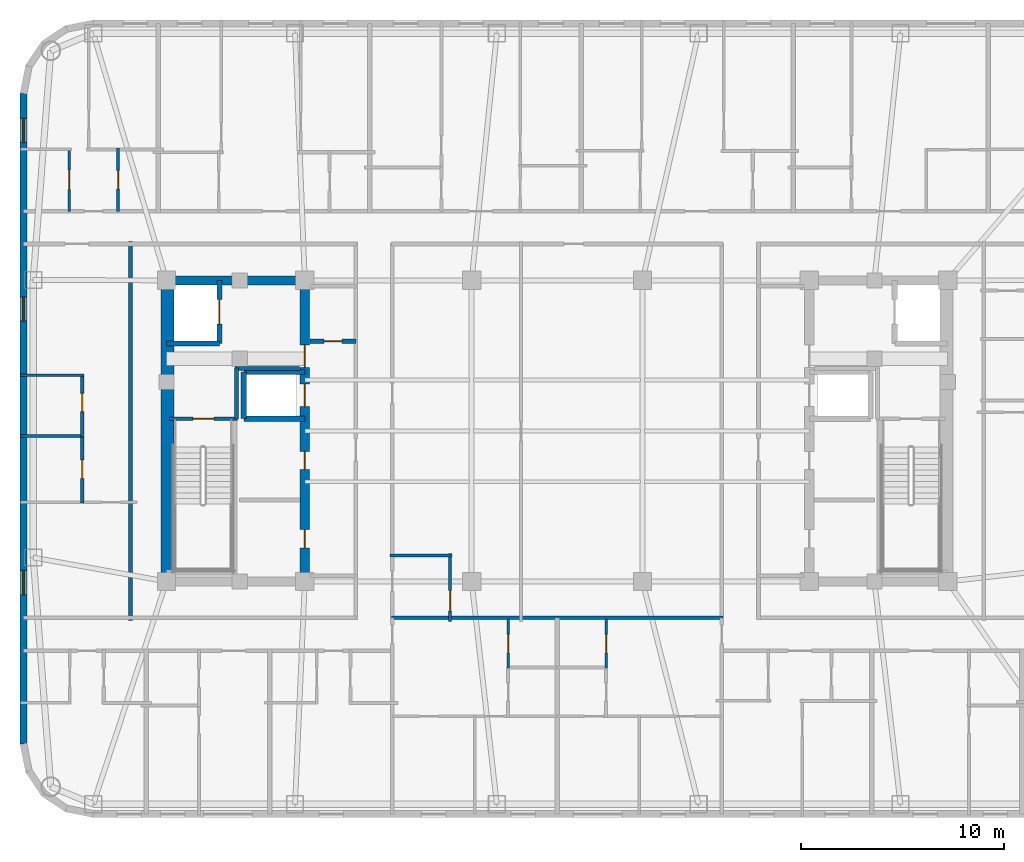
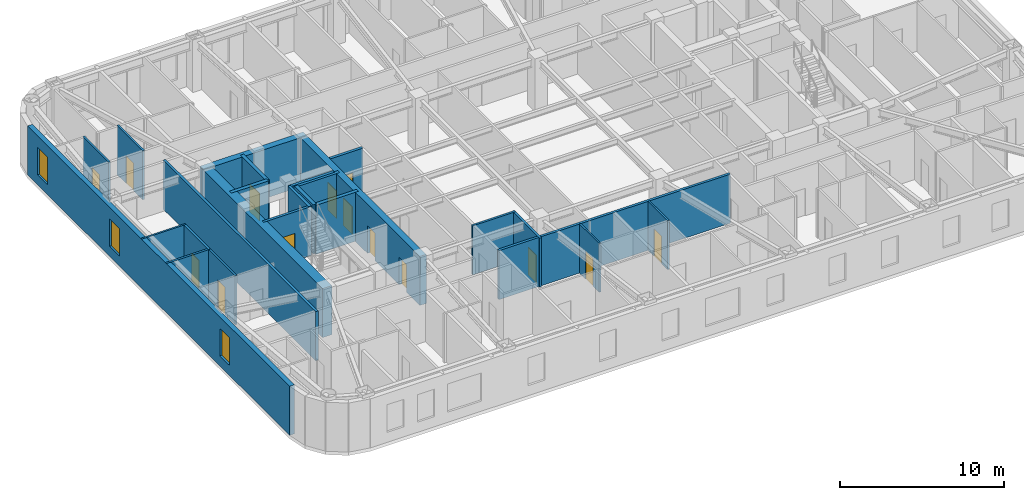
# One storey, part 4 of 11: 25 walls, 14 doors, 3 windows, 17 openings.
"""IFC4 building model written with IfcOpenShell, lengths in metres."""

from ifc_helpers import new_model, si_unit, direction, frame, frame_2d, origin, place, context, subcontext, project, spatial, rectangle, extrude, material, layer, layer_set, type_object, element, fill, save


model = new_model("IFC4")

# Units and contexts
model_context = context("Model", 3, precision=1e-05, world=origin(), true_north=direction((0.0, 1.0)))
body_context = subcontext(model_context, "Body", "Model", "MODEL_VIEW")
ifc_project = project(units=[si_unit("LENGTHUNIT", "METRE"), si_unit("AREAUNIT", "SQUARE_METRE"), si_unit("VOLUMEUNIT", "CUBIC_METRE"), si_unit("PLANEANGLEUNIT", "RADIAN"), si_unit("MASSUNIT", "GRAM", prefix="KILO")], contexts=[model_context])

# Site, building, storey
site_placement = place(None, origin())
site = spatial("IfcSite", under=ifc_project, at=site_placement, CompositionType="ELEMENT")
building_placement = place(site_placement, origin())
building = spatial("IfcBuilding", under=site, at=building_placement, Name="Voryun Gate Residences", CompositionType="ELEMENT")
storey_placement = place(building_placement, frame((0.0, 0.0, 215.800048828125)))
storey = spatial("IfcBuildingStorey", under=building, at=storey_placement, Name="L53", CompositionType="ELEMENT", Elevation=215.800048828125)

# Wall
ifc_material_1 = material(Name="Concrete C50/60", Category="concrete")
ifc_layer_1 = layer(ifc_material_1, 0.449951171875, Name="CW_CORE_450")
ifc_layer_set_1 = layer_set([ifc_layer_1], Name="Concrete C50/60")
wall_type_1 = type_object("IfcWallType", Name="CW_CORE_450", PredefinedType="SHEAR", material=ifc_layer_set_1)
wall_1_placement = place(storey_placement, frame((-19.425048828125, 7.39990234375, 0.0), z_axis=(0.0, 0.0, 1.0), x_axis=(1.0, 0.0, 0.0)))
element("IfcWall", 1, at=wall_1_placement, inside=storey, type_object=wall_type_1, Name="L53 Core shear wall CW-L53-WN", PredefinedType="SHEAR", context=body_context, shape_type="SweptSolid", body=[
    extrude(rectangle(XDim=7.25, YDim=0.449951171875, at=frame_2d((3.625, 0.0))), origin(), (0.0, 0.0, 1.0), 3.64990234375),
])

# Wall, openings, doors
wall_2_placement = place(storey_placement, frame((-12.39990234375, -7.39990234375, 0.0), z_axis=(0.0, 0.0, 1.0), x_axis=(0.0, 1.0, 0.0)))
wall_2 = element("IfcWall", 2, at=wall_2_placement, inside=storey, type_object=wall_type_1, Name="L53 Core shear wall CW-L53-WE", PredefinedType="SHEAR", context=body_context, shape_type="SweptSolid", body=[
    extrude(rectangle(XDim=14.7998046875, YDim=0.449951171875, at=frame_2d((7.39990234375, 0.0))), origin(), (0.0, 0.0, 1.0), 3.64990234375),
])
opening_1_placement = place(wall_2_placement, frame((8.60009765625, 0.0, 0.0)))
opening_1 = element("IfcOpeningElement", 3, at=opening_1_placement, cuts=wall_2, Name="Opening LD2", PredefinedType="OPENING", context=body_context, shape_type="SweptSolid", body=[
    extrude(rectangle(XDim=1.10009765625, YDim=2.050048828125, at=frame_2d((0.550048828125, 1.02490234375))), frame((0.0, 0.235107421875, 0.0), z_axis=(0.0, -1.0, 0.0), x_axis=(1.0, 0.0, 0.0)), (0.0, 0.0, 1.0), 0.469970703125),
])
opening_2_placement = place(wall_2_placement, frame((10.530029296875, 0.0, 0.0)))
opening_2 = element("IfcOpeningElement", 4, at=opening_2_placement, cuts=wall_2, Name="Opening D-FD60-2", PredefinedType="OPENING", context=body_context, shape_type="SweptSolid", body=[
    extrude(rectangle(XDim=1.10009765625, YDim=2.050048828125, at=frame_2d((0.550048828125, 1.02490234375))), frame((0.0, 0.235107421875, 0.0), z_axis=(0.0, -1.0, 0.0), x_axis=(1.0, 0.0, 0.0)), (0.0, 0.0, 1.0), 0.469970703125),
])
opening_3_placement = place(wall_2_placement, frame((1.64990234375, 0.0, 0.0)))
opening_3 = element("IfcOpeningElement", 5, at=opening_3_placement, cuts=wall_2, Name="Opening D-FD60-4", PredefinedType="OPENING", context=body_context, shape_type="SweptSolid", body=[
    extrude(rectangle(XDim=0.89990234375, YDim=2.050048828125, at=frame_2d((0.449951171875, 1.02490234375))), frame((0.0, 0.235107421875, 0.0), z_axis=(0.0, -1.0, 0.0), x_axis=(1.0, 0.0, 0.0)), (0.0, 0.0, 1.0), 0.469970703125),
])
opening_4_placement = place(wall_2_placement, frame((5.5, 0.0, 0.0)))
opening_4 = element("IfcOpeningElement", 6, at=opening_4_placement, cuts=wall_2, Name="Opening D-FD60-4", PredefinedType="OPENING", context=body_context, shape_type="SweptSolid", body=[
    extrude(rectangle(XDim=0.89990234375, YDim=2.050048828125, at=frame_2d((0.449951171875, 1.02490234375))), frame((0.0, 0.235107421875, 0.0), z_axis=(0.0, -1.0, 0.0), x_axis=(1.0, 0.0, 0.0)), (0.0, 0.0, 1.0), 0.469970703125),
])
ifc_material_2 = material(Name="Painted steel fire door", Category="steel")
door_type_1 = type_object("IfcDoorType", Name="DR_FD60_FFLOB_1100", OperationType="NOTDEFINED", PredefinedType="DOOR", material=ifc_material_2)
door_1_placement = place(opening_2_placement, origin())
door_1 = element("IfcDoor", 7, at=door_1_placement, inside=storey, type_object=door_type_1, Name="Door DR-L53-CLOB-W", OperationType="SINGLE_SWING_LEFT", OverallHeight=2.050048828125, OverallWidth=1.10009765625, PredefinedType="DOOR", context=body_context, shape_type="SweptSolid", body=[
    extrude(rectangle(XDim=1.10009765625, YDim=2.050048828125, at=frame_2d((0.550048828125, 1.02490234375))), frame((0.0, 0.02490234375, 0.0), z_axis=(0.0, -1.0, 0.0), x_axis=(1.0, 0.0, 0.0)), (0.0, 0.0, 1.0), 0.050048828125),
])
fill(opening_2, door_1)
ifc_material_3 = material(Name="Painted steel fire door", Category="steel")
door_type_2 = type_object("IfcDoorType", Name="DR_FD60_RISER_900", OperationType="NOTDEFINED", PredefinedType="DOOR", material=ifc_material_3)
door_2_placement = place(opening_3_placement, origin())
door_2 = element("IfcDoor", 8, at=door_2_placement, inside=storey, type_object=door_type_2, Name="Door DR-L53-RECW-HS", OperationType="SINGLE_SWING_LEFT", OverallHeight=2.050048828125, OverallWidth=0.89990234375, PredefinedType="DOOR", context=body_context, shape_type="SweptSolid", body=[
    extrude(rectangle(XDim=0.89990234375, YDim=2.050048828125, at=frame_2d((0.449951171875, 1.02490234375))), frame((0.0, 0.02490234375, 0.0), z_axis=(0.0, -1.0, 0.0), x_axis=(1.0, 0.0, 0.0)), (0.0, 0.0, 1.0), 0.050048828125),
])
fill(opening_3, door_2)
door_3_placement = place(opening_4_placement, origin())
door_3 = element("IfcDoor", 9, at=door_3_placement, inside=storey, type_object=door_type_2, Name="Door DR-L53-RECW-HN", OperationType="SINGLE_SWING_RIGHT", OverallHeight=2.050048828125, OverallWidth=0.89990234375, PredefinedType="DOOR", context=body_context, shape_type="SweptSolid", body=[
    extrude(rectangle(XDim=0.89990234375, YDim=2.050048828125, at=frame_2d((0.449951171875, 1.02490234375))), frame((0.0, 0.02490234375, 0.0), z_axis=(0.0, -1.0, 0.0), x_axis=(1.0, 0.0, 0.0)), (0.0, 0.0, 1.0), 0.050048828125),
])
fill(opening_4, door_3)
ifc_material_4 = material(Name="Anodised aluminium", Category="aluminium")
door_type_3 = type_object("IfcDoorType", Name="DR_LD_PASS_1100", OperationType="NOTDEFINED", PredefinedType="DOOR", material=ifc_material_4)
door_4_placement = place(opening_1_placement, origin())
door_4 = element("IfcDoor", 10, at=door_4_placement, inside=storey, type_object=door_type_3, Name="Lift EL-P7 sliding landing door L53", OperationType="SLIDING_TO_LEFT", OverallHeight=2.050048828125, OverallWidth=1.10009765625, PredefinedType="DOOR", context=body_context, shape_type="SweptSolid", body=[
    extrude(rectangle(XDim=1.10009765625, YDim=2.050048828125, at=frame_2d((0.550048828125, 1.02490234375))), frame((0.0, 0.02490234375, 0.0), z_axis=(0.0, -1.0, 0.0), x_axis=(1.0, 0.0, 0.0)), (0.0, 0.0, 1.0), 0.050048828125),
])
fill(opening_1, door_4)

# Wall
ifc_material_5 = material(Name="Concrete C60/75", Category="concrete")
ifc_layer_2 = layer(ifc_material_5, 0.64990234375, Name="CW_CORE_650")
ifc_layer_set_2 = layer_set([ifc_layer_2], Name="Concrete C60/75")
wall_type_2 = type_object("IfcWallType", Name="CW_CORE_650", PredefinedType="SHEAR", material=ifc_layer_set_2)
wall_3_placement = place(storey_placement, frame((-19.14501953125, -7.39990234375, 0.0), z_axis=(0.0, 0.0, 1.0), x_axis=(0.0, 1.0, 0.0)))
element("IfcWall", 11, at=wall_3_placement, inside=storey, type_object=wall_type_2, Name="L53 Core shear wall CW-L53-WW", PredefinedType="SHEAR", context=body_context, shape_type="SweptSolid", body=[
    extrude(rectangle(XDim=14.7998046875, YDim=0.64990234375, at=frame_2d((7.39990234375, 0.0))), origin(), (0.0, 0.0, 1.0), 3.64990234375),
])

# Wall, opening, door
ifc_material_6 = material(Name="Gypsum acoustic fireboard")
ifc_layer_3 = layer(ifc_material_6, 0.179931640625, Name="W_CORR_RATED_180")
ifc_layer_set_3 = layer_set([ifc_layer_3], Name="Gypsum acoustic fireboard")
wall_type_3 = type_object("IfcWallType", Name="W_CORR_RATED_180", PredefinedType="PARTITIONING", material=ifc_layer_set_3)
wall_4_placement = place(storey_placement, frame((-19.06005859375, 0.60009765625, 0.0), z_axis=(0.0, 0.0, 1.0), x_axis=(1.0, 0.0, 0.0)))
wall_4 = element("IfcWall", 12, at=wall_4_placement, inside=storey, type_object=wall_type_3, Name="Partition wall WP-L53-STV-W", PredefinedType="PARTITIONING", context=body_context, shape_type="SweptSolid", body=[
    extrude(rectangle(XDim=3.360107421875, YDim=0.179931640625, at=frame_2d((1.68017578125, 0.0))), origin(), (0.0, 0.0, 1.0), 3.64990234375),
])
opening_5_placement = place(wall_4_placement, frame((1.155029296875, 0.0, 0.0)))
opening_5 = element("IfcOpeningElement", 13, at=opening_5_placement, cuts=wall_4, Name="Opening D-FD60-1", PredefinedType="OPENING", context=body_context, shape_type="SweptSolid", body=[
    extrude(rectangle(XDim=1.050048828125, YDim=2.050048828125, at=frame_2d((0.52490234375, 1.02490234375))), frame((0.0, 0.099853515625, 0.0), z_axis=(0.0, -1.0, 0.0), x_axis=(1.0, 0.0, 0.0)), (0.0, 0.0, 1.0), 0.199951171875),
])
ifc_material_7 = material(Name="Painted steel fire door", Category="steel")
door_type_4 = type_object("IfcDoorType", Name="DR_FD60_STAIR_1050", OperationType="NOTDEFINED", PredefinedType="DOOR", material=ifc_material_7)
door_5_placement = place(opening_5_placement, origin())
door_5 = element("IfcDoor", 14, at=door_5_placement, inside=storey, type_object=door_type_4, Name="Door DR-L53-ST-W", OperationType="SINGLE_SWING_LEFT", OverallHeight=2.050048828125, OverallWidth=1.050048828125, PredefinedType="DOOR", context=body_context, shape_type="SweptSolid", body=[
    extrude(rectangle(XDim=1.050048828125, YDim=2.050048828125, at=frame_2d((0.52490234375, 1.02490234375))), frame((0.0, 0.02490234375, 0.0), z_axis=(0.0, -1.0, 0.0), x_axis=(1.0, 0.0, 0.0)), (0.0, 0.0, 1.0), 0.050048828125),
])
fill(opening_5, door_5)

# Walls
wall_5_placement = place(storey_placement, frame((-8.14990234375, -9.18994140625, 0.0), z_axis=(0.0, 0.0, 1.0), x_axis=(1.0, 0.0, 0.0)))
element("IfcWall", 15, at=wall_5_placement, inside=storey, type_object=wall_type_3, Name="Partition wall WP-L53-Z3S", PredefinedType="PARTITIONING", context=body_context, shape_type="SweptSolid", body=[
    extrude(rectangle(XDim=16.2998046875, YDim=0.179931640625, at=frame_2d((8.14990234375, 0.0))), origin(), (0.0, 0.0, 1.0), 3.64990234375),
])
wall_6_placement = place(storey_placement, frame((-20.969970703125, -9.31005859375, 0.0), z_axis=(0.0, 0.0, 1.0), x_axis=(0.0, 1.0, 0.0)))
element("IfcWall", 16, at=wall_6_placement, inside=storey, type_object=wall_type_3, Name="Partition wall WP-L53-WCOR", PredefinedType="PARTITIONING", context=body_context, shape_type="SweptSolid", body=[
    extrude(rectangle(XDim=18.6201171875, YDim=0.179931640625, at=frame_2d((9.31005859375, 0.0))), origin(), (0.0, 0.0, 1.0), 3.64990234375),
])

# Wall, openings, windows
ifc_material_8 = material(Name="Charcoal terracotta masonry", Category="masonry")
ifc_layer_4 = layer(ifc_material_8, 0.340087890625, Name="W_EXT_TERRACOTTA_340")
ifc_layer_set_4 = layer_set([ifc_layer_4], Name="Charcoal terracotta masonry")
wall_type_4 = type_object("IfcWallType", Name="W_EXT_TERRACOTTA_340", PredefinedType="ELEMENTEDWALL", material=ifc_layer_set_4)
wall_7_placement = place(storey_placement, frame((-26.22998046875, -15.38330078125, 0.0), z_axis=(0.0, 0.0, 1.0), x_axis=(0.0, 1.0, 0.0)))
wall_7 = element("IfcWall", 17, at=wall_7_placement, inside=storey, type_object=wall_type_4, Name="Exterior wall WEXT-L53-06", PredefinedType="ELEMENTEDWALL", context=body_context, shape_type="SweptSolid", body=[
    extrude(rectangle(XDim=31.966552734375, YDim=0.340087890625, at=frame_2d((15.9833984375, 0.0))), origin(), (0.0, 0.0, 1.0), 3.64990234375),
])
opening_6_placement = place(wall_7_placement, frame((29.549560546875, 0.0, 0.75)))
opening_6 = element("IfcOpeningElement", 18, at=opening_6_placement, cuts=wall_7, Name="Opening WN6", PredefinedType="OPENING", context=body_context, shape_type="SweptSolid", body=[
    extrude(rectangle(XDim=1.199951171875, YDim=2.050048828125, at=frame_2d((0.60009765625, 1.02490234375))), frame((0.0, 0.179931640625, 0.0), z_axis=(0.0, -1.0, 0.0), x_axis=(1.0, 0.0, 0.0)), (0.0, 0.0, 1.0), 0.360107421875),
])
opening_7_placement = place(wall_7_placement, frame((20.7783203125, 0.0, 0.75)))
opening_7 = element("IfcOpeningElement", 19, at=opening_7_placement, cuts=wall_7, Name="Opening WN6", PredefinedType="OPENING", context=body_context, shape_type="SweptSolid", body=[
    extrude(rectangle(XDim=1.199951171875, YDim=2.050048828125, at=frame_2d((0.60009765625, 1.02490234375))), frame((0.0, 0.179931640625, 0.0), z_axis=(0.0, -1.0, 0.0), x_axis=(1.0, 0.0, 0.0)), (0.0, 0.0, 1.0), 0.360107421875),
])
opening_8_placement = place(wall_7_placement, frame((7.3232421875, 0.0, 0.75)))
opening_8 = element("IfcOpeningElement", 20, at=opening_8_placement, cuts=wall_7, Name="Opening WN6", PredefinedType="OPENING", context=body_context, shape_type="SweptSolid", body=[
    extrude(rectangle(XDim=1.199951171875, YDim=2.050048828125, at=frame_2d((0.60009765625, 1.02490234375))), frame((0.0, 0.179931640625, 0.0), z_axis=(0.0, -1.0, 0.0), x_axis=(1.0, 0.0, 0.0)), (0.0, 0.0, 1.0), 0.360107421875),
])
ifc_material_9 = material(Name="Laminated low-E glass", Category="glass")
window_type = type_object("IfcWindowType", Name="WN_POD_SLOT_1200", PartitioningType="SINGLE_PANEL", PredefinedType="WINDOW", material=ifc_material_9)
window_1_placement = place(opening_6_placement, origin())
window_1 = element("IfcWindow", 21, at=window_1_placement, inside=storey, type_object=window_type, Name="Window WN-L53-DWFIX-01", OverallHeight=2.050048828125, OverallWidth=1.199951171875, PartitioningType="SINGLE_PANEL", PredefinedType="WINDOW", context=body_context, shape_type="SweptSolid", body=[
    extrude(rectangle(XDim=1.199951171875, YDim=2.050048828125, at=frame_2d((0.60009765625, 1.02490234375))), frame((0.0, 0.030029296875, 0.0), z_axis=(0.0, -1.0, 0.0), x_axis=(1.0, 0.0, 0.0)), (0.0, 0.0, 1.0), 0.06005859375),
])
fill(opening_6, window_1)
window_2_placement = place(opening_7_placement, origin())
window_2 = element("IfcWindow", 22, at=window_2_placement, inside=storey, type_object=window_type, Name="Window WN-L53-DWFIX-27", OverallHeight=2.050048828125, OverallWidth=1.199951171875, PartitioningType="SINGLE_PANEL", PredefinedType="WINDOW", context=body_context, shape_type="SweptSolid", body=[
    extrude(rectangle(XDim=1.199951171875, YDim=2.050048828125, at=frame_2d((0.60009765625, 1.02490234375))), frame((0.0, 0.030029296875, 0.0), z_axis=(0.0, -1.0, 0.0), x_axis=(1.0, 0.0, 0.0)), (0.0, 0.0, 1.0), 0.06005859375),
])
fill(opening_7, window_2)
window_3_placement = place(opening_8_placement, origin())
window_3 = element("IfcWindow", 23, at=window_3_placement, inside=storey, type_object=window_type, Name="Window WN-L53-DWFIX-28", OverallHeight=2.050048828125, OverallWidth=1.199951171875, PartitioningType="SINGLE_PANEL", PredefinedType="WINDOW", context=body_context, shape_type="SweptSolid", body=[
    extrude(rectangle(XDim=1.199951171875, YDim=2.050048828125, at=frame_2d((0.60009765625, 1.02490234375))), frame((0.0, 0.030029296875, 0.0), z_axis=(0.0, -1.0, 0.0), x_axis=(1.0, 0.0, 0.0)), (0.0, 0.0, 1.0), 0.06005859375),
])
fill(opening_8, window_3)

# Walls
ifc_material_10 = material(Name="Concrete C40/50", Category="concrete")
ifc_layer_5 = layer(ifc_material_10, 0.199951171875, Name="W_FF_LOBBY_200")
ifc_layer_set_5 = layer_set([ifc_layer_5], Name="Concrete C40/50")
wall_type_5 = type_object("IfcWallType", Name="W_FF_LOBBY_200", PredefinedType="PARTITIONING", material=ifc_layer_set_5)
wall_8_placement = place(storey_placement, frame((-15.760009765625, 0.580078125, 0.0), z_axis=(0.0, 0.0, 1.0), x_axis=(0.0, 1.0, 0.0)))
element("IfcWall", 24, at=wall_8_placement, inside=storey, type_object=wall_type_5, Name="Partition wall WP-L53-FFP0-W", PredefinedType="PARTITIONING", context=body_context, shape_type="SweptSolid", body=[
    extrude(rectangle(XDim=2.52001953125, YDim=0.199951171875, at=frame_2d((1.260009765625, 0.0))), origin(), (0.0, 0.0, 1.0), 3.64990234375),
])
wall_9_placement = place(storey_placement, frame((-15.820068359375, 3.06005859375, 0.0), z_axis=(0.0, 0.0, 1.0), x_axis=(1.0, 0.0, 0.0)))
element("IfcWall", 25, at=wall_9_placement, inside=storey, type_object=wall_type_5, Name="Partition wall WP-L53-FFPS-W", PredefinedType="PARTITIONING", context=body_context, shape_type="SweptSolid", body=[
    extrude(rectangle(XDim=3.16015625, YDim=0.199951171875, at=frame_2d((1.580078125, 0.0))), origin(), (0.0, 0.0, 1.0), 3.64990234375),
])

# Wall, opening, door
wall_10_placement = place(storey_placement, frame((-12.14990234375, 4.409912109375, 0.0), z_axis=(0.0, 0.0, 1.0), x_axis=(1.0, 0.0, 0.0)))
wall_10 = element("IfcWall", 26, at=wall_10_placement, inside=storey, type_object=wall_type_5, Name="Partition wall WP-L53-CSFLKS-W", PredefinedType="PARTITIONING", context=body_context, shape_type="SweptSolid", body=[
    extrude(rectangle(XDim=2.27001953125, YDim=0.199951171875, at=frame_2d((1.135009765625, 0.0))), origin(), (0.0, 0.0, 1.0), 3.64990234375),
])
opening_9_placement = place(wall_10_placement, frame((0.68505859375, 0.0, 0.0)))
opening_9 = element("IfcOpeningElement", 27, at=opening_9_placement, cuts=wall_10, Name="Opening D-FD60-4", PredefinedType="OPENING", context=body_context, shape_type="SweptSolid", body=[
    extrude(rectangle(XDim=0.89990234375, YDim=2.050048828125, at=frame_2d((0.449951171875, 1.02490234375))), frame((0.0, 0.110107421875, 0.0), z_axis=(0.0, -1.0, 0.0), x_axis=(1.0, 0.0, 0.0)), (0.0, 0.0, 1.0), 0.219970703125),
])
door_6_placement = place(opening_9_placement, origin())
door_6 = element("IfcDoor", 28, at=door_6_placement, inside=storey, type_object=door_type_2, Name="Door DR-L53-CSFLK-W", OperationType="SINGLE_SWING_LEFT", OverallHeight=2.050048828125, OverallWidth=0.89990234375, PredefinedType="DOOR", context=body_context, shape_type="SweptSolid", body=[
    extrude(rectangle(XDim=0.89990234375, YDim=2.050048828125, at=frame_2d((0.449951171875, 1.02490234375))), frame((0.0, 0.02490234375, 0.0), z_axis=(0.0, -1.0, 0.0), x_axis=(1.0, 0.0, 0.0)), (0.0, 0.0, 1.0), 0.050048828125),
])
fill(opening_9, door_6)

# Wall
ifc_material_11 = material(Name="Concrete C50/60", Category="concrete")
ifc_layer_6 = layer(ifc_material_11, 0.25, Name="W_SHAFT_RC250")
ifc_layer_set_6 = layer_set([ifc_layer_6], Name="Concrete C50/60")
wall_type_6 = type_object("IfcWallType", Name="W_SHAFT_RC250", PredefinedType="SOLIDWALL", material=ifc_layer_set_6)
wall_11_placement = place(storey_placement, frame((-19.199951171875, 4.300048828125, 0.0), z_axis=(0.0, 0.0, 1.0), x_axis=(1.0, 0.0, 0.0)))
element("IfcWall", 29, at=wall_11_placement, inside=storey, type_object=wall_type_6, Name="Lift shaft wall WSH-L53-EL-FF-W1-S", PredefinedType="SOLIDWALL", context=body_context, shape_type="SweptSolid", body=[
    extrude(rectangle(XDim=2.599853515625, YDim=0.25, at=frame_2d((1.2998046875, 0.0))), origin(), (0.0, 0.0, 1.0), 3.64990234375),
])

# Wall, opening, door
wall_12_placement = place(storey_placement, frame((-16.60009765625, 4.300048828125, 0.0), z_axis=(0.0, 0.0, 1.0), x_axis=(0.0, 1.0, 0.0)))
wall_12 = element("IfcWall", 30, at=wall_12_placement, inside=storey, type_object=wall_type_6, Name="Lift shaft wall WSH-L53-EL-FF-W1-E", PredefinedType="SOLIDWALL", context=body_context, shape_type="SweptSolid", body=[
    extrude(rectangle(XDim=3.099853515625, YDim=0.25, at=frame_2d((1.5498046875, 0.0))), origin(), (0.0, 0.0, 1.0), 3.64990234375),
])
opening_10_placement = place(wall_12_placement, frame((0.949951171875, 0.0, 0.0)))
opening_10 = element("IfcOpeningElement", 31, at=opening_10_placement, cuts=wall_12, Name="Opening LD1", PredefinedType="OPENING", context=body_context, shape_type="SweptSolid", body=[
    extrude(rectangle(XDim=1.199951171875, YDim=2.050048828125, at=frame_2d((0.60009765625, 1.02490234375))), frame((0.0, 0.135009765625, 0.0), z_axis=(0.0, -1.0, 0.0), x_axis=(1.0, 0.0, 0.0)), (0.0, 0.0, 1.0), 0.27001953125),
])
ifc_material_12 = material(Name="Anodised aluminium", Category="aluminium")
door_type_5 = type_object("IfcDoorType", Name="DR_LD_FF_1200", OperationType="NOTDEFINED", PredefinedType="DOOR", material=ifc_material_12)
door_7_placement = place(opening_10_placement, origin())
door_7 = element("IfcDoor", 32, at=door_7_placement, inside=storey, type_object=door_type_5, Name="Lift EL-FF-W1 sliding landing door L53", OperationType="SLIDING_TO_LEFT", OverallHeight=2.050048828125, OverallWidth=1.199951171875, PredefinedType="DOOR", context=body_context, shape_type="SweptSolid", body=[
    extrude(rectangle(XDim=1.199951171875, YDim=2.050048828125, at=frame_2d((0.60009765625, 1.02490234375))), frame((0.0, 0.02490234375, 0.0), z_axis=(0.0, -1.0, 0.0), x_axis=(1.0, 0.0, 0.0)), (0.0, 0.0, 1.0), 0.050048828125),
])
fill(opening_10, door_7)

# Walls
for number, where, z_axis, x_axis, name in (
    (33, (-15.39990234375, 0.60009765625, 0.0), (0.0, 0.0, 1.0), (1.0, 0.0, 0.0), "Lift shaft wall WSH-L53-EL-P7-S"),
    (34, (-12.39990234375, 2.89990234375, 0.0), (0.0, 0.0, 1.0), (-1.0, 0.0, 0.0), "Lift shaft wall WSH-L53-EL-P7-N"),
):
    element("IfcWall", number, at=place(storey_placement, frame(where, z_axis=z_axis, x_axis=x_axis)), inside=storey, type_object=wall_type_6, Name=name, PredefinedType="SOLIDWALL", context=body_context, shape_type="SweptSolid", body=[
        extrude(rectangle(XDim=3.0, YDim=0.25, at=frame_2d((1.5, 0.0))), origin(), (0.0, 0.0, 1.0), 3.64990234375),
    ])
wall_13_placement = place(storey_placement, frame((-15.39990234375, 2.89990234375, 0.0), z_axis=(0.0, 0.0, 1.0), x_axis=(0.0, -1.0, 0.0)))
element("IfcWall", 35, at=wall_13_placement, inside=storey, type_object=wall_type_6, Name="Lift shaft wall WSH-L53-EL-P7-W", PredefinedType="SOLIDWALL", context=body_context, shape_type="SweptSolid", body=[
    extrude(rectangle(XDim=2.2998046875, YDim=0.25, at=frame_2d((1.14990234375, 0.0))), origin(), (0.0, 0.0, 1.0), 3.64990234375),
])

# Wall, opening, door
ifc_material_13 = material(Name="Gypsum acoustic partition")
ifc_layer_7 = layer(ifc_material_13, 0.125, Name="W_UNIT_PART_125")
ifc_layer_set_7 = layer_set([ifc_layer_7], Name="Gypsum acoustic partition")
wall_type_7 = type_object("IfcWallType", Name="W_UNIT_PART_125", PredefinedType="PARTITIONING", material=ifc_layer_set_7)
wall_14_placement = place(storey_placement, frame((-23.987060546875, 10.780029296875, 0.0), z_axis=(0.0, 0.0, 1.0), x_axis=(0.0, 1.0, 0.0)))
wall_14 = element("IfcWall", 36, at=wall_14_placement, inside=storey, type_object=wall_type_7, Name="Partition wall WP-L53-N1-IVK", PredefinedType="PARTITIONING", context=body_context, shape_type="SweptSolid", body=[
    extrude(rectangle(XDim=3.138916015625, YDim=0.125, at=frame_2d((1.5693359375, 0.0))), origin(), (0.0, 0.0, 1.0), 3.64990234375),
])
opening_11_placement = place(wall_14_placement, frame((1.094482421875, 0.0, 0.0)))
opening_11 = element("IfcOpeningElement", 37, at=opening_11_placement, cuts=wall_14, Name="Opening D-INT-1", PredefinedType="OPENING", context=body_context, shape_type="SweptSolid", body=[
    extrude(rectangle(XDim=0.949951171875, YDim=2.050048828125, at=frame_2d((0.47509765625, 1.02490234375))), frame((0.0, 0.072509765625, 0.0), z_axis=(0.0, -1.0, 0.0), x_axis=(1.0, 0.0, 0.0)), (0.0, 0.0, 1.0), 0.14501953125),
])
ifc_material_14 = material(Name="Architectural oak veneer")
door_type_6 = type_object("IfcDoorType", Name="DR_INT_ROOM_950", OperationType="NOTDEFINED", PredefinedType="DOOR", material=ifc_material_14)
door_8_placement = place(opening_11_placement, origin())
door_8 = element("IfcDoor", 38, at=door_8_placement, inside=storey, type_object=door_type_6, Name="Door DR-L53-N1-DK", OperationType="SINGLE_SWING_LEFT", OverallHeight=2.050048828125, OverallWidth=0.949951171875, PredefinedType="DOOR", context=body_context, shape_type="SweptSolid", body=[
    extrude(rectangle(XDim=0.949951171875, YDim=2.050048828125, at=frame_2d((0.47509765625, 1.02490234375))), frame((0.0, 0.02490234375, 0.0), z_axis=(0.0, -1.0, 0.0), x_axis=(1.0, 0.0, 0.0)), (0.0, 0.0, 1.0), 0.050048828125),
])
fill(opening_11, door_8)

wall_15_placement = place(storey_placement, frame((-2.409912109375, -11.659912109375, 0.0), z_axis=(0.0, 0.0, 1.0), x_axis=(0.0, 1.0, 0.0)))
wall_15 = element("IfcWall", 39, at=wall_15_placement, inside=storey, type_object=wall_type_7, Name="Partition wall WP-L53-SC1-VK1", PredefinedType="PARTITIONING", context=body_context, shape_type="SweptSolid", body=[
    extrude(rectangle(XDim=2.409912109375, YDim=0.125, at=frame_2d((1.205078125, 0.0))), origin(), (0.0, 0.0, 1.0), 3.64990234375),
])
opening_12_placement = place(wall_15_placement, frame((0.7548828125, 0.0, 0.0)))
opening_12 = element("IfcOpeningElement", 40, at=opening_12_placement, cuts=wall_15, Name="Opening D-INT-2", PredefinedType="OPENING", context=body_context, shape_type="SweptSolid", body=[
    extrude(rectangle(XDim=0.89990234375, YDim=2.050048828125, at=frame_2d((0.449951171875, 1.02490234375))), frame((0.0, 0.072509765625, 0.0), z_axis=(0.0, -1.0, 0.0), x_axis=(1.0, 0.0, 0.0)), (0.0, 0.0, 1.0), 0.14501953125),
])
ifc_material_15 = material(Name="Architectural oak veneer")
door_type_7 = type_object("IfcDoorType", Name="DR_INT_BATH_900", OperationType="NOTDEFINED", PredefinedType="DOOR", material=ifc_material_15)
door_9_placement = place(opening_12_placement, origin())
door_9 = element("IfcDoor", 41, at=door_9_placement, inside=storey, type_object=door_type_7, Name="Door DR-L53-SC1-DK", OperationType="SINGLE_SWING_LEFT", OverallHeight=2.050048828125, OverallWidth=0.89990234375, PredefinedType="DOOR", context=body_context, shape_type="SweptSolid", body=[
    extrude(rectangle(XDim=0.89990234375, YDim=2.050048828125, at=frame_2d((0.449951171875, 1.02490234375))), frame((0.0, 0.02490234375, 0.0), z_axis=(0.0, -1.0, 0.0), x_axis=(1.0, 0.0, 0.0)), (0.0, 0.0, 1.0), 0.050048828125),
])
fill(opening_12, door_9)

wall_16_placement = place(storey_placement, frame((2.409912109375, -11.659912109375, 0.0), z_axis=(0.0, 0.0, 1.0), x_axis=(0.0, 1.0, 0.0)))
wall_16 = element("IfcWall", 42, at=wall_16_placement, inside=storey, type_object=wall_type_7, Name="Partition wall WP-L53-SC2-VK1", PredefinedType="PARTITIONING", context=body_context, shape_type="SweptSolid", body=[
    extrude(rectangle(XDim=2.409912109375, YDim=0.125, at=frame_2d((1.205078125, 0.0))), origin(), (0.0, 0.0, 1.0), 3.64990234375),
])
opening_13_placement = place(wall_16_placement, frame((0.7548828125, 0.0, 0.0)))
opening_13 = element("IfcOpeningElement", 43, at=opening_13_placement, cuts=wall_16, Name="Opening D-INT-2", PredefinedType="OPENING", context=body_context, shape_type="SweptSolid", body=[
    extrude(rectangle(XDim=0.89990234375, YDim=2.050048828125, at=frame_2d((0.449951171875, 1.02490234375))), frame((0.0, 0.072509765625, 0.0), z_axis=(0.0, -1.0, 0.0), x_axis=(1.0, 0.0, 0.0)), (0.0, 0.0, 1.0), 0.14501953125),
])
door_10_placement = place(opening_13_placement, origin())
door_10 = element("IfcDoor", 44, at=door_10_placement, inside=storey, type_object=door_type_7, Name="Door DR-L53-SC2-DK", OperationType="SINGLE_SWING_LEFT", OverallHeight=2.050048828125, OverallWidth=0.89990234375, PredefinedType="DOOR", context=body_context, shape_type="SweptSolid", body=[
    extrude(rectangle(XDim=0.89990234375, YDim=2.050048828125, at=frame_2d((0.449951171875, 1.02490234375))), frame((0.0, 0.02490234375, 0.0), z_axis=(0.0, -1.0, 0.0), x_axis=(1.0, 0.0, 0.0)), (0.0, 0.0, 1.0), 0.050048828125),
])
fill(opening_13, door_10)

# Wall
wall_17_placement = place(storey_placement, frame((-26.3798828125, 2.739990234375, 0.0), z_axis=(0.0, 0.0, 1.0), x_axis=(1.0, 0.0, 0.0)))
element("IfcWall", 45, at=wall_17_placement, inside=storey, type_object=wall_type_7, Name="Partition wall WP-L53-W1-HZ1", PredefinedType="PARTITIONING", context=body_context, shape_type="SweptSolid", body=[
    extrude(rectangle(XDim=3.119873046875, YDim=0.125, at=frame_2d((1.56005859375, 0.0))), origin(), (0.0, 0.0, 1.0), 3.64990234375),
])

# Wall, opening, door
ifc_material_16 = material(Name="Gypsum moisture-resistant partition")
ifc_layer_8 = layer(ifc_material_16, 0.14990234375, Name="W_WET_PLUMB_150")
ifc_layer_set_8 = layer_set([ifc_layer_8], Name="Gypsum moisture-resistant partition")
wall_type_8 = type_object("IfcWallType", Name="W_WET_PLUMB_150", PredefinedType="PLUMBINGWALL", material=ifc_layer_set_8)
wall_18_placement = place(storey_placement, frame((-5.260009765625, -9.3701171875, 0.0), z_axis=(0.0, 0.0, 1.0), x_axis=(0.0, 1.0, 0.0)))
wall_18 = element("IfcWall", 46, at=wall_18_placement, inside=storey, type_object=wall_type_8, Name="Partition wall WP-L53-CMWCX", PredefinedType="PLUMBINGWALL", context=body_context, shape_type="SweptSolid", body=[
    extrude(rectangle(XDim=3.35009765625, YDim=0.14990234375, at=frame_2d((1.675048828125, 0.0))), origin(), (0.0, 0.0, 1.0), 3.64990234375),
])
opening_14_placement = place(wall_18_placement, frame((0.514892578125, 0.0, 0.0)))
opening_14 = element("IfcOpeningElement", 47, at=opening_14_placement, cuts=wall_18, Name="Opening D-AWC-1", PredefinedType="OPENING", context=body_context, shape_type="SweptSolid", body=[
    extrude(rectangle(XDim=1.0, YDim=2.050048828125, at=frame_2d((0.5, 1.02490234375))), frame((0.0, 0.0849609375, 0.0), z_axis=(0.0, -1.0, 0.0), x_axis=(1.0, 0.0, 0.0)), (0.0, 0.0, 1.0), 0.169921875),
])
ifc_material_17 = material(Name="Architectural oak veneer")
door_type_8 = type_object("IfcDoorType", Name="DR_ACC_WC_1000", OperationType="NOTDEFINED", PredefinedType="DOOR", material=ifc_material_17)
door_11_placement = place(opening_14_placement, origin())
door_11 = element("IfcDoor", 48, at=door_11_placement, inside=storey, type_object=door_type_8, Name="Door DR-L53-CMWC", OperationType="SINGLE_SWING_LEFT", OverallHeight=2.050048828125, OverallWidth=1.0, PredefinedType="DOOR", context=body_context, shape_type="SweptSolid", body=[
    extrude(rectangle(XDim=1.0, YDim=2.050048828125, at=frame_2d((0.5, 1.02490234375))), frame((0.0, 0.02490234375, 0.0), z_axis=(0.0, -1.0, 0.0), x_axis=(1.0, 0.0, 0.0)), (0.0, 0.0, 1.0), 0.050048828125),
])
fill(opening_14, door_11)

# Wall
wall_19_placement = place(storey_placement, frame((-8.2099609375, -6.1201171875, 0.0), z_axis=(0.0, 0.0, 1.0), x_axis=(1.0, 0.0, 0.0)))
element("IfcWall", 49, at=wall_19_placement, inside=storey, type_object=wall_type_8, Name="Partition wall WP-L53-CMWCY", PredefinedType="PLUMBINGWALL", context=body_context, shape_type="SweptSolid", body=[
    extrude(rectangle(XDim=3.050048828125, YDim=0.14990234375, at=frame_2d((1.52490234375, 0.0))), origin(), (0.0, 0.0, 1.0), 3.64990234375),
])

# Wall, opening, door
wall_20_placement = place(storey_placement, frame((-21.580078125, 10.780029296875, 0.0), z_axis=(0.0, 0.0, 1.0), x_axis=(0.0, 1.0, 0.0)))
wall_20 = element("IfcWall", 50, at=wall_20_placement, inside=storey, type_object=wall_type_8, Name="Partition wall WP-L53-N1-IVB", PredefinedType="PLUMBINGWALL", context=body_context, shape_type="SweptSolid", body=[
    extrude(rectangle(XDim=3.138916015625, YDim=0.14990234375, at=frame_2d((1.5693359375, 0.0))), origin(), (0.0, 0.0, 1.0), 3.64990234375),
])
opening_15_placement = place(wall_20_placement, frame((1.119384765625, 0.0, 0.0)))
opening_15 = element("IfcOpeningElement", 51, at=opening_15_placement, cuts=wall_20, Name="Opening D-INT-2", PredefinedType="OPENING", context=body_context, shape_type="SweptSolid", body=[
    extrude(rectangle(XDim=0.89990234375, YDim=2.050048828125, at=frame_2d((0.449951171875, 1.02490234375))), frame((0.0, 0.0849609375, 0.0), z_axis=(0.0, -1.0, 0.0), x_axis=(1.0, 0.0, 0.0)), (0.0, 0.0, 1.0), 0.169921875),
])
door_12_placement = place(opening_15_placement, origin())
door_12 = element("IfcDoor", 52, at=door_12_placement, inside=storey, type_object=door_type_7, Name="Door DR-L53-N1-DB", OperationType="SINGLE_SWING_RIGHT", OverallHeight=2.050048828125, OverallWidth=0.89990234375, PredefinedType="DOOR", context=body_context, shape_type="SweptSolid", body=[
    extrude(rectangle(XDim=0.89990234375, YDim=2.050048828125, at=frame_2d((0.449951171875, 1.02490234375))), frame((0.0, 0.02490234375, 0.0), z_axis=(0.0, -1.0, 0.0), x_axis=(1.0, 0.0, 0.0)), (0.0, 0.0, 1.0), 0.050048828125),
])
fill(opening_15, door_12)

# Wall
wall_21_placement = place(storey_placement, frame((-26.3798828125, -0.260009765625, 0.0), z_axis=(0.0, 0.0, 1.0), x_axis=(1.0, 0.0, 0.0)))
element("IfcWall", 53, at=wall_21_placement, inside=storey, type_object=wall_type_8, Name="Partition wall WP-L53-W1-HZ2", PredefinedType="PLUMBINGWALL", context=body_context, shape_type="SweptSolid", body=[
    extrude(rectangle(XDim=3.119873046875, YDim=0.14990234375, at=frame_2d((1.56005859375, 0.0))), origin(), (0.0, 0.0, 1.0), 3.64990234375),
])

# Wall, opening, door
wall_22_placement = place(storey_placement, frame((-23.340087890625, -3.550048828125, 0.0), z_axis=(0.0, 0.0, 1.0), x_axis=(0.0, 1.0, 0.0)))
wall_22 = element("IfcWall", 54, at=wall_22_placement, inside=storey, type_object=wall_type_8, Name="Partition wall WP-L53-W1-VKB1", PredefinedType="PLUMBINGWALL", context=body_context, shape_type="SweptSolid", body=[
    extrude(rectangle(XDim=3.330078125, YDim=0.14990234375, at=frame_2d((1.6650390625, 0.0))), origin(), (0.0, 0.0, 1.0), 3.64990234375),
])
opening_16_placement = place(wall_22_placement, frame((1.215087890625, 0.0, 0.0)))
opening_16 = element("IfcOpeningElement", 55, at=opening_16_placement, cuts=wall_22, Name="Opening D-INT-2", PredefinedType="OPENING", context=body_context, shape_type="SweptSolid", body=[
    extrude(rectangle(XDim=0.89990234375, YDim=2.050048828125, at=frame_2d((0.449951171875, 1.02490234375))), frame((0.0, 0.0849609375, 0.0), z_axis=(0.0, -1.0, 0.0), x_axis=(1.0, 0.0, 0.0)), (0.0, 0.0, 1.0), 0.169921875),
])
door_13_placement = place(opening_16_placement, origin())
door_13 = element("IfcDoor", 56, at=door_13_placement, inside=storey, type_object=door_type_7, Name="Door DR-L53-W1-DB", OperationType="SINGLE_SWING_LEFT", OverallHeight=2.050048828125, OverallWidth=0.89990234375, PredefinedType="DOOR", context=body_context, shape_type="SweptSolid", body=[
    extrude(rectangle(XDim=0.89990234375, YDim=2.050048828125, at=frame_2d((0.449951171875, 1.02490234375))), frame((0.0, 0.02490234375, 0.0), z_axis=(0.0, -1.0, 0.0), x_axis=(1.0, 0.0, 0.0)), (0.0, 0.0, 1.0), 0.050048828125),
])
fill(opening_16, door_13)

wall_23_placement = place(storey_placement, frame((-23.340087890625, -0.300048828125, 0.0), z_axis=(0.0, 0.0, 1.0), x_axis=(0.0, 1.0, 0.0)))
wall_23 = element("IfcWall", 57, at=wall_23_placement, inside=storey, type_object=wall_type_8, Name="Partition wall WP-L53-W1-VKB2", PredefinedType="PLUMBINGWALL", context=body_context, shape_type="SweptSolid", body=[
    extrude(rectangle(XDim=3.080078125, YDim=0.14990234375, at=frame_2d((1.5400390625, 0.0))), origin(), (0.0, 0.0, 1.0), 3.64990234375),
])
opening_17_placement = place(wall_23_placement, frame((1.243896484375, 0.0, 0.0)))
opening_17 = element("IfcOpeningElement", 58, at=opening_17_placement, cuts=wall_23, Name="Opening D-INT-2", PredefinedType="OPENING", context=body_context, shape_type="SweptSolid", body=[
    extrude(rectangle(XDim=0.89990234375, YDim=2.050048828125, at=frame_2d((0.449951171875, 1.02490234375))), frame((0.0, 0.0849609375, 0.0), z_axis=(0.0, -1.0, 0.0), x_axis=(1.0, 0.0, 0.0)), (0.0, 0.0, 1.0), 0.169921875),
])
door_14_placement = place(opening_17_placement, origin())
door_14 = element("IfcDoor", 59, at=door_14_placement, inside=storey, type_object=door_type_7, Name="Door DR-L53-W1-DK", OperationType="SINGLE_SWING_RIGHT", OverallHeight=2.050048828125, OverallWidth=0.89990234375, PredefinedType="DOOR", context=body_context, shape_type="SweptSolid", body=[
    extrude(rectangle(XDim=0.89990234375, YDim=2.050048828125, at=frame_2d((0.449951171875, 1.02490234375))), frame((0.0, 0.02490234375, 0.0), z_axis=(0.0, -1.0, 0.0), x_axis=(1.0, 0.0, 0.0)), (0.0, 0.0, 1.0), 0.050048828125),
])
fill(opening_17, door_14)

save(model, "model.ifc")
